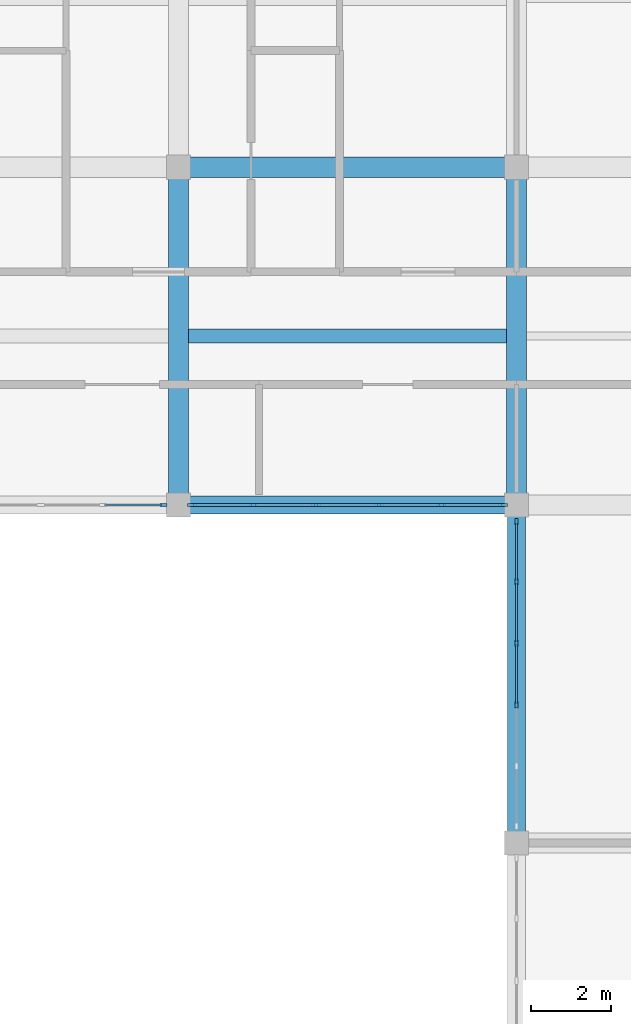
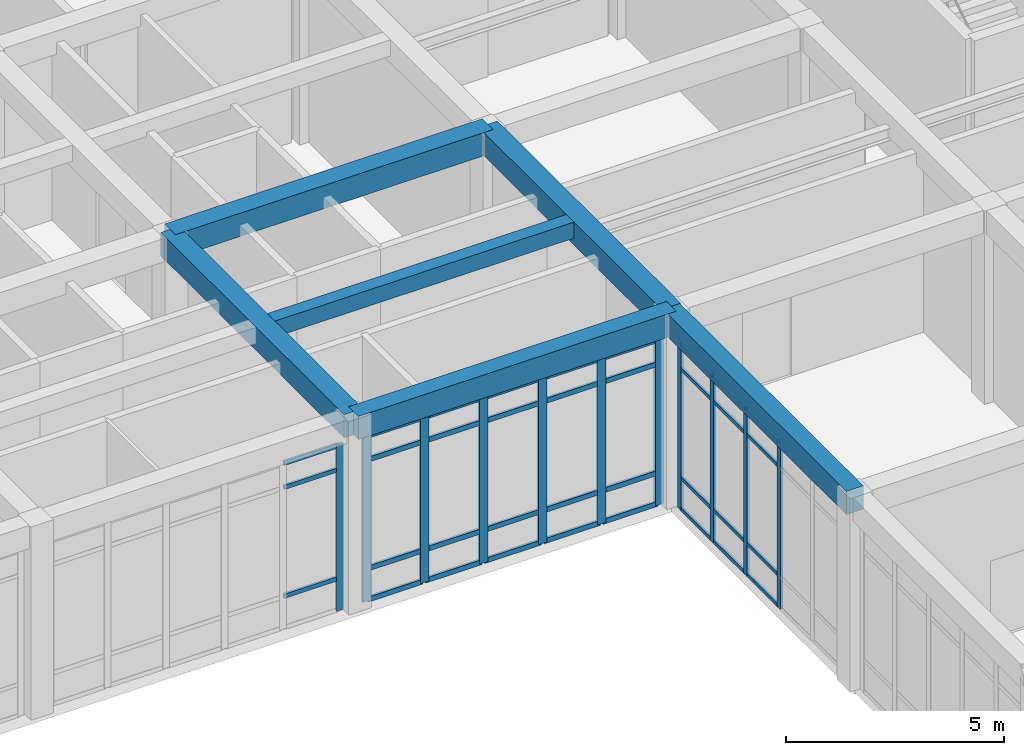
# One storey, part 21 of 89: 46 members, 6 beams, 3 elements without a shape of their own.
"""IFC4 building model written with IfcOpenShell, lengths in metres."""

from ifc_helpers import new_model, si_unit, direction, frame, origin, origin_2d, place, context, subcontext, project, spatial, rectangle, extrude, material, material_profile, profile_set, type_object, element, aggregate, save


model = new_model("IFC4")

# Units and contexts
model_context = context("Model", 3, precision=1e-05, world=origin(), true_north=direction((0.0, 1.0)))
body_context = subcontext(model_context, "Body", "Model", "MODEL_VIEW")
ifc_project = project(units=[si_unit("LENGTHUNIT", "METRE"), si_unit("AREAUNIT", "SQUARE_METRE"), si_unit("VOLUMEUNIT", "CUBIC_METRE"), si_unit("PLANEANGLEUNIT", "RADIAN"), si_unit("MASSUNIT", "GRAM", prefix="KILO")], contexts=[model_context])

# Site, building, storey
site_placement = place(None, origin())
site = spatial("IfcSite", under=ifc_project, at=site_placement, CompositionType="ELEMENT")
building_placement = place(site_placement, origin())
building = spatial("IfcBuilding", under=site, at=building_placement, Name="Varncliffe General Hospital", CompositionType="ELEMENT")
storey_placement = place(building_placement, frame((0.0, 0.0, 10.800048828125)))
storey = spatial("IfcBuildingStorey", under=building, at=storey_placement, Name="L02", CompositionType="ELEMENT", Elevation=10.800048828125)

# Beams
ifc_material_1 = material(Name="Concrete C35/45 (CSA A23.1 35 MPa)", Category="concrete")
ifc_material_profile_1 = material_profile(ifc_material_1, rectangle(XDim=0.5, YDim=0.64990234375, at=origin_2d()), Name="RC 500x650")
ifc_profile_set_1 = profile_set([ifc_material_profile_1], Name="Concrete C35/45 (CSA A23.1 35 MPa)")
beam_type_1 = type_object("IfcBeamType", Name="Beam B29 (Int RC 500x650)", PredefinedType="BEAM", material=ifc_profile_set_1)
beam_1_placement = place(storey_placement, frame((50.39990234375, 91.199951171875, 5.074951171875), z_axis=(1.0, 0.0, 0.0), x_axis=(0.0, 1.0, 0.0)))
element("IfcBeam", 1, at=beam_1_placement, inside=storey, type_object=beam_type_1, Name="L02 Primary Beam B29-119", PredefinedType="BEAM", context=body_context, shape_type="SweptSolid", body=[
    extrude(rectangle(XDim=0.5, YDim=0.64990234375, at=origin_2d()), origin(), (0.0, 0.0, 1.0), 8.400146484375),
])
for number, where, z_axis, x_axis, name in (
    (2, (50.39990234375, 82.800048828125, 5.074951171875), (0.0, 1.0, 0.0), (-1.0, 0.0, 0.0), "L02 Primary Beam B29-301"),
    (3, (58.800048828125, 82.800048828125, 5.074951171875), (0.0, 1.0, 0.0), (-1.0, 0.0, 0.0), "L02 Primary Beam B29-319"),
):
    element("IfcBeam", number, at=place(storey_placement, frame(where, z_axis=z_axis, x_axis=x_axis)), inside=storey, type_object=beam_type_1, Name=name, PredefinedType="BEAM", context=body_context, shape_type="SweptSolid", body=[
        extrude(rectangle(XDim=0.5, YDim=0.64990234375, at=origin_2d()), origin(), (0.0, 0.0, 1.0), 8.39990234375),
    ])

# Curtain wall, member
ifc_material_2 = material(Name="Triple low-E argon insulated vision glazing", Category="glass")
curtain_wall_type_1 = type_object("IfcCurtainWallType", Name="Unitised Glazed Curtain Wall CW70 (7724x4640)", PredefinedType="USERDEFINED", material=ifc_material_2)
curtain_wall_1_placement = place(storey_placement, origin())
curtain_wall_1 = element("IfcCurtainWall", 4, at=curtain_wall_1_placement, inside=storey, type_object=curtain_wall_type_1, Name="L02 Glazed Curtain Wall CW70-145", ObjectType="GLAZED CURTAIN WALL", PredefinedType="USERDEFINED")
ifc_material_3 = material(Name="Dark bronze thermally broken aluminium framing", Category="aluminium")
ifc_material_profile_2 = material_profile(ifc_material_3, rectangle(XDim=0.074951171875, YDim=0.179931640625, at=origin_2d()), Name="ALU 75x180")
ifc_profile_set_2 = profile_set([ifc_material_profile_2], Name="Dark bronze thermally broken aluminium framing")
member_type_1 = type_object("IfcMemberType", Name="Curtain Wall Mullion CM44 (ALU 75x180)", PredefinedType="MULLION", material=ifc_profile_set_2)
member_1_placement = place(storey_placement, frame((50.0244140625, 82.800048828125, 0.0), z_axis=(0.0, 0.0, 1.0), x_axis=(0.0, -1.0, 0.0)))
member_1 = element("IfcMember", 5, at=member_1_placement, type_object=member_type_1, Name="CW70 mullion 1", PredefinedType="MULLION", context=body_context, shape_type="SweptSolid", body=[
    extrude(rectangle(XDim=0.074951171875, YDim=0.179931640625, at=origin_2d()), origin(), (0.0, 0.0, 1.0), 4.639892578125),
])

# Curtain wall, members
curtain_wall_type_2 = type_object("IfcCurtainWallType", Name="Unitised Glazed Curtain Wall CW27 (7644x4640)", PredefinedType="USERDEFINED", material=ifc_material_2)
curtain_wall_2_placement = place(storey_placement, origin())
curtain_wall_2 = element("IfcCurtainWall", 6, at=curtain_wall_2_placement, inside=storey, type_object=curtain_wall_type_2, Name="L02 Glazed Curtain Wall CW27-143", ObjectType="GLAZED CURTAIN WALL", PredefinedType="USERDEFINED")
ifc_material_profile_3 = material_profile(ifc_material_3, rectangle(XDim=0.06494140625, YDim=0.159912109375, at=origin_2d()), Name="ALU 65x160")
ifc_profile_set_3 = profile_set([ifc_material_profile_3], Name="Dark bronze thermally broken aluminium framing")
member_type_2 = type_object("IfcMemberType", Name="Curtain Wall Mullion CM65 (ALU 65x160)", PredefinedType="MULLION", material=ifc_profile_set_3)
member_2_placement = place(storey_placement, frame((58.800048828125, 77.835693359375, 0.0), z_axis=(0.0, 0.0, 1.0), x_axis=(-1.0, 0.0, 0.0)))
member_2 = element("IfcMember", 7, at=member_2_placement, type_object=member_type_2, Name="CW27 mullion 3", PredefinedType="MULLION", context=body_context, shape_type="SweptSolid", body=[
    extrude(rectangle(XDim=0.06494140625, YDim=0.159912109375, at=origin_2d()), origin(), (0.0, 0.0, 1.0), 4.639892578125),
])
member_3_placement = place(storey_placement, frame((58.800048828125, 79.364501953125, 0.0), z_axis=(0.0, 0.0, 1.0), x_axis=(-1.0, 0.0, 0.0)))
member_3 = element("IfcMember", 8, at=member_3_placement, type_object=member_type_2, Name="CW27 mullion 4", PredefinedType="MULLION", context=body_context, shape_type="SweptSolid", body=[
    extrude(rectangle(XDim=0.06494140625, YDim=0.159912109375, at=origin_2d()), origin(), (0.0, 0.0, 1.0), 4.639892578125),
])
member_4_placement = place(storey_placement, frame((58.800048828125, 80.893310546875, 0.0), z_axis=(0.0, 0.0, 1.0), x_axis=(-1.0, 0.0, 0.0)))
member_4 = element("IfcMember", 9, at=member_4_placement, type_object=member_type_2, Name="CW27 mullion 5", PredefinedType="MULLION", context=body_context, shape_type="SweptSolid", body=[
    extrude(rectangle(XDim=0.06494140625, YDim=0.159912109375, at=origin_2d()), origin(), (0.0, 0.0, 1.0), 4.639892578125),
])
member_5_placement = place(storey_placement, frame((58.800048828125, 82.389404296875, 0.0), z_axis=(0.0, 0.0, 1.0), x_axis=(-1.0, 0.0, 0.0)))
member_5 = element("IfcMember", 10, at=member_5_placement, type_object=member_type_2, Name="CW27 mullion 6", PredefinedType="MULLION", context=body_context, shape_type="SweptSolid", body=[
    extrude(rectangle(XDim=0.06494140625, YDim=0.159912109375, at=origin_2d()), origin(), (0.0, 0.0, 1.0), 4.639892578125),
])

curtain_wall_type_3 = type_object("IfcCurtainWallType", Name="Unitised Glazed Curtain Wall CW85 (7804x4640)", PredefinedType="USERDEFINED", material=ifc_material_2)
curtain_wall_3_placement = place(storey_placement, origin())
curtain_wall_3 = element("IfcCurtainWall", 11, at=curtain_wall_3_placement, inside=storey, type_object=curtain_wall_type_3, Name="L02 Glazed Curtain Wall CW85-144", ObjectType="GLAZED CURTAIN WALL", PredefinedType="USERDEFINED")
ifc_material_profile_4 = material_profile(ifc_material_3, rectangle(XDim=0.074951171875, YDim=0.219970703125, at=origin_2d()), Name="ALU 75x220")
ifc_profile_set_4 = profile_set([ifc_material_profile_4], Name="Dark bronze thermally broken aluminium framing")
member_type_3 = type_object("IfcMemberType", Name="Curtain Wall Mullion CM74 (ALU 75x220)", PredefinedType="MULLION", material=ifc_profile_set_4)
member_6_placement = place(storey_placement, frame((58.464599609375, 82.800048828125, 0.0), z_axis=(0.0, 0.0, 1.0), x_axis=(0.0, -1.0, 0.0)))
member_6 = element("IfcMember", 12, at=member_6_placement, type_object=member_type_3, Name="CW85 mullion 1", PredefinedType="MULLION", context=body_context, shape_type="SweptSolid", body=[
    extrude(rectangle(XDim=0.074951171875, YDim=0.219970703125, at=origin_2d()), origin(), (0.0, 0.0, 1.0), 4.639892578125),
])
member_7_placement = place(storey_placement, frame((56.941162109375, 82.800048828125, 0.0), z_axis=(0.0, 0.0, 1.0), x_axis=(0.0, -1.0, 0.0)))
member_7 = element("IfcMember", 13, at=member_7_placement, type_object=member_type_3, Name="CW85 mullion 2", PredefinedType="MULLION", context=body_context, shape_type="SweptSolid", body=[
    extrude(rectangle(XDim=0.074951171875, YDim=0.219970703125, at=origin_2d()), origin(), (0.0, 0.0, 1.0), 4.639892578125),
])
member_8_placement = place(storey_placement, frame((55.38037109375, 82.800048828125, 0.0), z_axis=(0.0, 0.0, 1.0), x_axis=(0.0, -1.0, 0.0)))
member_8 = element("IfcMember", 14, at=member_8_placement, type_object=member_type_3, Name="CW85 mullion 3", PredefinedType="MULLION", context=body_context, shape_type="SweptSolid", body=[
    extrude(rectangle(XDim=0.074951171875, YDim=0.219970703125, at=origin_2d()), origin(), (0.0, 0.0, 1.0), 4.639892578125),
])
member_9_placement = place(storey_placement, frame((53.819580078125, 82.800048828125, 0.0), z_axis=(0.0, 0.0, 1.0), x_axis=(0.0, -1.0, 0.0)))
member_9 = element("IfcMember", 15, at=member_9_placement, type_object=member_type_3, Name="CW85 mullion 4", PredefinedType="MULLION", context=body_context, shape_type="SweptSolid", body=[
    extrude(rectangle(XDim=0.074951171875, YDim=0.219970703125, at=origin_2d()), origin(), (0.0, 0.0, 1.0), 4.639892578125),
])
member_10_placement = place(storey_placement, frame((52.2587890625, 82.800048828125, 0.0), z_axis=(0.0, 0.0, 1.0), x_axis=(0.0, -1.0, 0.0)))
member_10 = element("IfcMember", 16, at=member_10_placement, type_object=member_type_3, Name="CW85 mullion 5", PredefinedType="MULLION", context=body_context, shape_type="SweptSolid", body=[
    extrude(rectangle(XDim=0.074951171875, YDim=0.219970703125, at=origin_2d()), origin(), (0.0, 0.0, 1.0), 4.639892578125),
])
member_11_placement = place(storey_placement, frame((50.735595703125, 82.800048828125, 0.0), z_axis=(0.0, 0.0, 1.0), x_axis=(0.0, -1.0, 0.0)))
member_11 = element("IfcMember", 17, at=member_11_placement, type_object=member_type_3, Name="CW85 mullion 6", PredefinedType="MULLION", context=body_context, shape_type="SweptSolid", body=[
    extrude(rectangle(XDim=0.074951171875, YDim=0.219970703125, at=origin_2d()), origin(), (0.0, 0.0, 1.0), 4.639892578125),
])

# Member
ifc_material_profile_5 = material_profile(ifc_material_3, rectangle(XDim=0.06005859375, YDim=0.1201171875, at=origin_2d()), Name="ALU 60x120")
ifc_profile_set_5 = profile_set([ifc_material_profile_5], Name="Dark bronze thermally broken aluminium framing")
member_type_4 = type_object("IfcMemberType", Name="Curtain Wall Transom CT14 (ALU 60x120)", PredefinedType="USERDEFINED", material=ifc_profile_set_5)
member_12_placement = place(storey_placement, frame((49.987060546875, 82.800048828125, 0.89990234375), z_axis=(-1.0, 0.0, 0.0), x_axis=(0.0, -1.0, 0.0)))
member_12 = element("IfcMember", 18, at=member_12_placement, type_object=member_type_4, Name="CW70 transom 1.2", ObjectType="TRANSOM", PredefinedType="USERDEFINED", context=body_context, shape_type="SweptSolid", body=[
    extrude(rectangle(XDim=0.06005859375, YDim=0.1201171875, at=origin_2d()), origin(), (0.0, 0.0, 1.0), 1.432373046875),
])

member_13_placement = place(storey_placement, frame((49.987060546875, 82.800048828125, 3.93994140625), z_axis=(-1.0, 0.0, 0.0), x_axis=(0.0, -1.0, 0.0)))
member_13 = element("IfcMember", 19, at=member_13_placement, type_object=member_type_4, Name="CW70 transom 1.3", ObjectType="TRANSOM", PredefinedType="USERDEFINED", context=body_context, shape_type="SweptSolid", body=[
    extrude(rectangle(XDim=0.06005859375, YDim=0.1201171875, at=origin_2d()), origin(), (0.0, 0.0, 1.0), 1.432373046875),
])

member_14_placement = place(storey_placement, frame((49.987060546875, 82.800048828125, 4.60986328125), z_axis=(-1.0, 0.0, 0.0), x_axis=(0.0, -1.0, 0.0)))
member_14 = element("IfcMember", 20, at=member_14_placement, type_object=member_type_4, Name="CW70 transom 1.4", ObjectType="TRANSOM", PredefinedType="USERDEFINED", context=body_context, shape_type="SweptSolid", body=[
    extrude(rectangle(XDim=0.06005859375, YDim=0.1201171875, at=origin_2d()), origin(), (0.0, 0.0, 1.0), 1.432373046875),
])

aggregate(curtain_wall_1, [member_1, member_12, member_13, member_14])

ifc_material_profile_6 = material_profile(ifc_material_3, rectangle(XDim=0.06005859375, YDim=0.10009765625, at=origin_2d()), Name="ALU 60x100")
ifc_profile_set_6 = profile_set([ifc_material_profile_6], Name="Dark bronze thermally broken aluminium framing")
member_type_5 = type_object("IfcMemberType", Name="Curtain Wall Transom CT18 (ALU 60x100)", PredefinedType="USERDEFINED", material=ifc_profile_set_6)
member_15_placement = place(storey_placement, frame((58.800048828125, 77.8681640625, 0.030029296875), z_axis=(0.0, 1.0, 0.0), x_axis=(-1.0, 0.0, 0.0)))
member_15 = element("IfcMember", 21, at=member_15_placement, type_object=member_type_5, Name="CW27 transom 3.1", ObjectType="TRANSOM", PredefinedType="USERDEFINED", context=body_context, shape_type="SweptSolid", body=[
    extrude(rectangle(XDim=0.06005859375, YDim=0.10009765625, at=origin_2d()), origin(), (0.0, 0.0, 1.0), 1.463623046875),
])

member_16_placement = place(storey_placement, frame((58.800048828125, 77.8681640625, 0.89990234375), z_axis=(0.0, 1.0, 0.0), x_axis=(-1.0, 0.0, 0.0)))
member_16 = element("IfcMember", 22, at=member_16_placement, type_object=member_type_5, Name="CW27 transom 3.2", ObjectType="TRANSOM", PredefinedType="USERDEFINED", context=body_context, shape_type="SweptSolid", body=[
    extrude(rectangle(XDim=0.06005859375, YDim=0.10009765625, at=origin_2d()), origin(), (0.0, 0.0, 1.0), 1.463623046875),
])

member_17_placement = place(storey_placement, frame((58.800048828125, 77.8681640625, 3.93994140625), z_axis=(0.0, 1.0, 0.0), x_axis=(-1.0, 0.0, 0.0)))
member_17 = element("IfcMember", 23, at=member_17_placement, type_object=member_type_5, Name="CW27 transom 3.3", ObjectType="TRANSOM", PredefinedType="USERDEFINED", context=body_context, shape_type="SweptSolid", body=[
    extrude(rectangle(XDim=0.06005859375, YDim=0.10009765625, at=origin_2d()), origin(), (0.0, 0.0, 1.0), 1.463623046875),
])

member_18_placement = place(storey_placement, frame((58.800048828125, 77.8681640625, 4.60986328125), z_axis=(0.0, 1.0, 0.0), x_axis=(-1.0, 0.0, 0.0)))
member_18 = element("IfcMember", 24, at=member_18_placement, type_object=member_type_5, Name="CW27 transom 3.4", ObjectType="TRANSOM", PredefinedType="USERDEFINED", context=body_context, shape_type="SweptSolid", body=[
    extrude(rectangle(XDim=0.06005859375, YDim=0.10009765625, at=origin_2d()), origin(), (0.0, 0.0, 1.0), 1.463623046875),
])

member_19_placement = place(storey_placement, frame((58.800048828125, 79.39697265625, 0.030029296875), z_axis=(0.0, 1.0, 0.0), x_axis=(-1.0, 0.0, 0.0)))
member_19 = element("IfcMember", 25, at=member_19_placement, type_object=member_type_5, Name="CW27 transom 4.1", ObjectType="TRANSOM", PredefinedType="USERDEFINED", context=body_context, shape_type="SweptSolid", body=[
    extrude(rectangle(XDim=0.06005859375, YDim=0.10009765625, at=origin_2d()), origin(), (0.0, 0.0, 1.0), 1.463623046875),
])

member_20_placement = place(storey_placement, frame((58.800048828125, 79.39697265625, 0.89990234375), z_axis=(0.0, 1.0, 0.0), x_axis=(-1.0, 0.0, 0.0)))
member_20 = element("IfcMember", 26, at=member_20_placement, type_object=member_type_5, Name="CW27 transom 4.2", ObjectType="TRANSOM", PredefinedType="USERDEFINED", context=body_context, shape_type="SweptSolid", body=[
    extrude(rectangle(XDim=0.06005859375, YDim=0.10009765625, at=origin_2d()), origin(), (0.0, 0.0, 1.0), 1.463623046875),
])

member_21_placement = place(storey_placement, frame((58.800048828125, 79.39697265625, 3.93994140625), z_axis=(0.0, 1.0, 0.0), x_axis=(-1.0, 0.0, 0.0)))
member_21 = element("IfcMember", 27, at=member_21_placement, type_object=member_type_5, Name="CW27 transom 4.3", ObjectType="TRANSOM", PredefinedType="USERDEFINED", context=body_context, shape_type="SweptSolid", body=[
    extrude(rectangle(XDim=0.06005859375, YDim=0.10009765625, at=origin_2d()), origin(), (0.0, 0.0, 1.0), 1.463623046875),
])

member_22_placement = place(storey_placement, frame((58.800048828125, 79.39697265625, 4.60986328125), z_axis=(0.0, 1.0, 0.0), x_axis=(-1.0, 0.0, 0.0)))
member_22 = element("IfcMember", 28, at=member_22_placement, type_object=member_type_5, Name="CW27 transom 4.4", ObjectType="TRANSOM", PredefinedType="USERDEFINED", context=body_context, shape_type="SweptSolid", body=[
    extrude(rectangle(XDim=0.06005859375, YDim=0.10009765625, at=origin_2d()), origin(), (0.0, 0.0, 1.0), 1.463623046875),
])

member_23_placement = place(storey_placement, frame((58.800048828125, 80.92578125, 0.030029296875), z_axis=(0.0, 1.0, 0.0), x_axis=(-1.0, 0.0, 0.0)))
member_23 = element("IfcMember", 29, at=member_23_placement, type_object=member_type_5, Name="CW27 transom 5.1", ObjectType="TRANSOM", PredefinedType="USERDEFINED", context=body_context, shape_type="SweptSolid", body=[
    extrude(rectangle(XDim=0.06005859375, YDim=0.10009765625, at=origin_2d()), origin(), (0.0, 0.0, 1.0), 1.43115234375),
])

member_24_placement = place(storey_placement, frame((58.800048828125, 80.92578125, 0.89990234375), z_axis=(0.0, 1.0, 0.0), x_axis=(-1.0, 0.0, 0.0)))
member_24 = element("IfcMember", 30, at=member_24_placement, type_object=member_type_5, Name="CW27 transom 5.2", ObjectType="TRANSOM", PredefinedType="USERDEFINED", context=body_context, shape_type="SweptSolid", body=[
    extrude(rectangle(XDim=0.06005859375, YDim=0.10009765625, at=origin_2d()), origin(), (0.0, 0.0, 1.0), 1.43115234375),
])

member_25_placement = place(storey_placement, frame((58.800048828125, 80.92578125, 3.93994140625), z_axis=(0.0, 1.0, 0.0), x_axis=(-1.0, 0.0, 0.0)))
member_25 = element("IfcMember", 31, at=member_25_placement, type_object=member_type_5, Name="CW27 transom 5.3", ObjectType="TRANSOM", PredefinedType="USERDEFINED", context=body_context, shape_type="SweptSolid", body=[
    extrude(rectangle(XDim=0.06005859375, YDim=0.10009765625, at=origin_2d()), origin(), (0.0, 0.0, 1.0), 1.43115234375),
])

member_26_placement = place(storey_placement, frame((58.800048828125, 80.92578125, 4.60986328125), z_axis=(0.0, 1.0, 0.0), x_axis=(-1.0, 0.0, 0.0)))
member_26 = element("IfcMember", 32, at=member_26_placement, type_object=member_type_5, Name="CW27 transom 5.4", ObjectType="TRANSOM", PredefinedType="USERDEFINED", context=body_context, shape_type="SweptSolid", body=[
    extrude(rectangle(XDim=0.06005859375, YDim=0.10009765625, at=origin_2d()), origin(), (0.0, 0.0, 1.0), 1.43115234375),
])

aggregate(curtain_wall_2, [member_2, member_3, member_4, member_5, member_15, member_16, member_17, member_18, member_19, member_20, member_21, member_22, member_23, member_24, member_25, member_26])

ifc_material_profile_7 = material_profile(ifc_material_3, rectangle(XDim=0.06494140625, YDim=0.139892578125, at=origin_2d()), Name="ALU 65x140")
ifc_profile_set_7 = profile_set([ifc_material_profile_7], Name="Dark bronze thermally broken aluminium framing")
member_type_6 = type_object("IfcMemberType", Name="Curtain Wall Transom CT69 (ALU 65x140)", PredefinedType="USERDEFINED", material=ifc_profile_set_7)
member_27_placement = place(storey_placement, frame((58.427001953125, 82.800048828125, 0.032470703125), z_axis=(-1.0, 0.0, 0.0), x_axis=(0.0, -1.0, 0.0)))
member_27 = element("IfcMember", 33, at=member_27_placement, type_object=member_type_6, Name="CW85 transom 1.1", ObjectType="TRANSOM", PredefinedType="USERDEFINED", context=body_context, shape_type="SweptSolid", body=[
    extrude(rectangle(XDim=0.06494140625, YDim=0.139892578125, at=origin_2d()), origin(), (0.0, 0.0, 1.0), 1.4482421875),
])

member_28_placement = place(storey_placement, frame((58.427001953125, 82.800048828125, 0.89990234375), z_axis=(-1.0, 0.0, 0.0), x_axis=(0.0, -1.0, 0.0)))
member_28 = element("IfcMember", 34, at=member_28_placement, type_object=member_type_6, Name="CW85 transom 1.2", ObjectType="TRANSOM", PredefinedType="USERDEFINED", context=body_context, shape_type="SweptSolid", body=[
    extrude(rectangle(XDim=0.06494140625, YDim=0.139892578125, at=origin_2d()), origin(), (0.0, 0.0, 1.0), 1.4482421875),
])

member_29_placement = place(storey_placement, frame((58.427001953125, 82.800048828125, 3.93994140625), z_axis=(-1.0, 0.0, 0.0), x_axis=(0.0, -1.0, 0.0)))
member_29 = element("IfcMember", 35, at=member_29_placement, type_object=member_type_6, Name="CW85 transom 1.3", ObjectType="TRANSOM", PredefinedType="USERDEFINED", context=body_context, shape_type="SweptSolid", body=[
    extrude(rectangle(XDim=0.06494140625, YDim=0.139892578125, at=origin_2d()), origin(), (0.0, 0.0, 1.0), 1.4482421875),
])

member_30_placement = place(storey_placement, frame((58.427001953125, 82.800048828125, 4.607421875), z_axis=(-1.0, 0.0, 0.0), x_axis=(0.0, -1.0, 0.0)))
member_30 = element("IfcMember", 36, at=member_30_placement, type_object=member_type_6, Name="CW85 transom 1.4", ObjectType="TRANSOM", PredefinedType="USERDEFINED", context=body_context, shape_type="SweptSolid", body=[
    extrude(rectangle(XDim=0.06494140625, YDim=0.139892578125, at=origin_2d()), origin(), (0.0, 0.0, 1.0), 1.4482421875),
])

member_31_placement = place(storey_placement, frame((56.90380859375, 82.800048828125, 0.032470703125), z_axis=(-1.0, 0.0, 0.0), x_axis=(0.0, -1.0, 0.0)))
member_31 = element("IfcMember", 37, at=member_31_placement, type_object=member_type_6, Name="CW85 transom 2.1", ObjectType="TRANSOM", PredefinedType="USERDEFINED", context=body_context, shape_type="SweptSolid", body=[
    extrude(rectangle(XDim=0.06494140625, YDim=0.139892578125, at=origin_2d()), origin(), (0.0, 0.0, 1.0), 1.48583984375),
])

member_32_placement = place(storey_placement, frame((56.90380859375, 82.800048828125, 0.89990234375), z_axis=(-1.0, 0.0, 0.0), x_axis=(0.0, -1.0, 0.0)))
member_32 = element("IfcMember", 38, at=member_32_placement, type_object=member_type_6, Name="CW85 transom 2.2", ObjectType="TRANSOM", PredefinedType="USERDEFINED", context=body_context, shape_type="SweptSolid", body=[
    extrude(rectangle(XDim=0.06494140625, YDim=0.139892578125, at=origin_2d()), origin(), (0.0, 0.0, 1.0), 1.48583984375),
])

member_33_placement = place(storey_placement, frame((56.90380859375, 82.800048828125, 3.93994140625), z_axis=(-1.0, 0.0, 0.0), x_axis=(0.0, -1.0, 0.0)))
member_33 = element("IfcMember", 39, at=member_33_placement, type_object=member_type_6, Name="CW85 transom 2.3", ObjectType="TRANSOM", PredefinedType="USERDEFINED", context=body_context, shape_type="SweptSolid", body=[
    extrude(rectangle(XDim=0.06494140625, YDim=0.139892578125, at=origin_2d()), origin(), (0.0, 0.0, 1.0), 1.48583984375),
])

member_34_placement = place(storey_placement, frame((56.90380859375, 82.800048828125, 4.607421875), z_axis=(-1.0, 0.0, 0.0), x_axis=(0.0, -1.0, 0.0)))
member_34 = element("IfcMember", 40, at=member_34_placement, type_object=member_type_6, Name="CW85 transom 2.4", ObjectType="TRANSOM", PredefinedType="USERDEFINED", context=body_context, shape_type="SweptSolid", body=[
    extrude(rectangle(XDim=0.06494140625, YDim=0.139892578125, at=origin_2d()), origin(), (0.0, 0.0, 1.0), 1.48583984375),
])

member_35_placement = place(storey_placement, frame((55.343017578125, 82.800048828125, 0.032470703125), z_axis=(-1.0, 0.0, 0.0), x_axis=(0.0, -1.0, 0.0)))
member_35 = element("IfcMember", 41, at=member_35_placement, type_object=member_type_6, Name="CW85 transom 3.1", ObjectType="TRANSOM", PredefinedType="USERDEFINED", context=body_context, shape_type="SweptSolid", body=[
    extrude(rectangle(XDim=0.06494140625, YDim=0.139892578125, at=origin_2d()), origin(), (0.0, 0.0, 1.0), 1.48583984375),
])

member_36_placement = place(storey_placement, frame((55.343017578125, 82.800048828125, 0.89990234375), z_axis=(-1.0, 0.0, 0.0), x_axis=(0.0, -1.0, 0.0)))
member_36 = element("IfcMember", 42, at=member_36_placement, type_object=member_type_6, Name="CW85 transom 3.2", ObjectType="TRANSOM", PredefinedType="USERDEFINED", context=body_context, shape_type="SweptSolid", body=[
    extrude(rectangle(XDim=0.06494140625, YDim=0.139892578125, at=origin_2d()), origin(), (0.0, 0.0, 1.0), 1.48583984375),
])

member_37_placement = place(storey_placement, frame((55.343017578125, 82.800048828125, 3.93994140625), z_axis=(-1.0, 0.0, 0.0), x_axis=(0.0, -1.0, 0.0)))
member_37 = element("IfcMember", 43, at=member_37_placement, type_object=member_type_6, Name="CW85 transom 3.3", ObjectType="TRANSOM", PredefinedType="USERDEFINED", context=body_context, shape_type="SweptSolid", body=[
    extrude(rectangle(XDim=0.06494140625, YDim=0.139892578125, at=origin_2d()), origin(), (0.0, 0.0, 1.0), 1.48583984375),
])

member_38_placement = place(storey_placement, frame((55.343017578125, 82.800048828125, 4.607421875), z_axis=(-1.0, 0.0, 0.0), x_axis=(0.0, -1.0, 0.0)))
member_38 = element("IfcMember", 44, at=member_38_placement, type_object=member_type_6, Name="CW85 transom 3.4", ObjectType="TRANSOM", PredefinedType="USERDEFINED", context=body_context, shape_type="SweptSolid", body=[
    extrude(rectangle(XDim=0.06494140625, YDim=0.139892578125, at=origin_2d()), origin(), (0.0, 0.0, 1.0), 1.48583984375),
])

member_39_placement = place(storey_placement, frame((53.781982421875, 82.800048828125, 0.032470703125), z_axis=(-1.0, 0.0, 0.0), x_axis=(0.0, -1.0, 0.0)))
member_39 = element("IfcMember", 45, at=member_39_placement, type_object=member_type_6, Name="CW85 transom 4.1", ObjectType="TRANSOM", PredefinedType="USERDEFINED", context=body_context, shape_type="SweptSolid", body=[
    extrude(rectangle(XDim=0.06494140625, YDim=0.139892578125, at=origin_2d()), origin(), (0.0, 0.0, 1.0), 1.485595703125),
])

member_40_placement = place(storey_placement, frame((53.781982421875, 82.800048828125, 0.89990234375), z_axis=(-1.0, 0.0, 0.0), x_axis=(0.0, -1.0, 0.0)))
member_40 = element("IfcMember", 46, at=member_40_placement, type_object=member_type_6, Name="CW85 transom 4.2", ObjectType="TRANSOM", PredefinedType="USERDEFINED", context=body_context, shape_type="SweptSolid", body=[
    extrude(rectangle(XDim=0.06494140625, YDim=0.139892578125, at=origin_2d()), origin(), (0.0, 0.0, 1.0), 1.485595703125),
])

member_41_placement = place(storey_placement, frame((53.781982421875, 82.800048828125, 3.93994140625), z_axis=(-1.0, 0.0, 0.0), x_axis=(0.0, -1.0, 0.0)))
member_41 = element("IfcMember", 47, at=member_41_placement, type_object=member_type_6, Name="CW85 transom 4.3", ObjectType="TRANSOM", PredefinedType="USERDEFINED", context=body_context, shape_type="SweptSolid", body=[
    extrude(rectangle(XDim=0.06494140625, YDim=0.139892578125, at=origin_2d()), origin(), (0.0, 0.0, 1.0), 1.485595703125),
])

member_42_placement = place(storey_placement, frame((53.781982421875, 82.800048828125, 4.607421875), z_axis=(-1.0, 0.0, 0.0), x_axis=(0.0, -1.0, 0.0)))
member_42 = element("IfcMember", 48, at=member_42_placement, type_object=member_type_6, Name="CW85 transom 4.4", ObjectType="TRANSOM", PredefinedType="USERDEFINED", context=body_context, shape_type="SweptSolid", body=[
    extrude(rectangle(XDim=0.06494140625, YDim=0.139892578125, at=origin_2d()), origin(), (0.0, 0.0, 1.0), 1.485595703125),
])

member_43_placement = place(storey_placement, frame((52.22119140625, 82.800048828125, 0.032470703125), z_axis=(-1.0, 0.0, 0.0), x_axis=(0.0, -1.0, 0.0)))
member_43 = element("IfcMember", 49, at=member_43_placement, type_object=member_type_6, Name="CW85 transom 5.1", ObjectType="TRANSOM", PredefinedType="USERDEFINED", context=body_context, shape_type="SweptSolid", body=[
    extrude(rectangle(XDim=0.06494140625, YDim=0.139892578125, at=origin_2d()), origin(), (0.0, 0.0, 1.0), 1.4482421875),
])

member_44_placement = place(storey_placement, frame((52.22119140625, 82.800048828125, 0.89990234375), z_axis=(-1.0, 0.0, 0.0), x_axis=(0.0, -1.0, 0.0)))
member_44 = element("IfcMember", 50, at=member_44_placement, type_object=member_type_6, Name="CW85 transom 5.2", ObjectType="TRANSOM", PredefinedType="USERDEFINED", context=body_context, shape_type="SweptSolid", body=[
    extrude(rectangle(XDim=0.06494140625, YDim=0.139892578125, at=origin_2d()), origin(), (0.0, 0.0, 1.0), 1.4482421875),
])

member_45_placement = place(storey_placement, frame((52.22119140625, 82.800048828125, 3.93994140625), z_axis=(-1.0, 0.0, 0.0), x_axis=(0.0, -1.0, 0.0)))
member_45 = element("IfcMember", 51, at=member_45_placement, type_object=member_type_6, Name="CW85 transom 5.3", ObjectType="TRANSOM", PredefinedType="USERDEFINED", context=body_context, shape_type="SweptSolid", body=[
    extrude(rectangle(XDim=0.06494140625, YDim=0.139892578125, at=origin_2d()), origin(), (0.0, 0.0, 1.0), 1.4482421875),
])

member_46_placement = place(storey_placement, frame((52.22119140625, 82.800048828125, 4.607421875), z_axis=(-1.0, 0.0, 0.0), x_axis=(0.0, -1.0, 0.0)))
member_46 = element("IfcMember", 52, at=member_46_placement, type_object=member_type_6, Name="CW85 transom 5.4", ObjectType="TRANSOM", PredefinedType="USERDEFINED", context=body_context, shape_type="SweptSolid", body=[
    extrude(rectangle(XDim=0.06494140625, YDim=0.139892578125, at=origin_2d()), origin(), (0.0, 0.0, 1.0), 1.4482421875),
])

aggregate(curtain_wall_3, [member_6, member_7, member_8, member_9, member_10, member_11, member_27, member_28, member_29, member_30, member_31, member_32, member_33, member_34, member_35, member_36, member_37, member_38, member_39, member_40, member_41, member_42, member_43, member_44, member_45, member_46])

# Beams
ifc_material_profile_8 = material_profile(ifc_material_1, rectangle(XDim=0.35009765625, YDim=0.449951171875, at=origin_2d()), Name="RC 350x450")
ifc_profile_set_8 = profile_set([ifc_material_profile_8], Name="Concrete C35/45 (CSA A23.1 35 MPa)")
beam_type_2 = type_object("IfcBeamType", Name="Joist J55 (Int RC 350x450)", PredefinedType="JOIST", material=ifc_profile_set_8)
beam_2_placement = place(storey_placement, frame((50.64794921875, 87.0, 5.175048828125), z_axis=(1.0, 0.0, 0.0), x_axis=(0.0, 1.0, 0.0)))
element("IfcBeam", 53, at=beam_2_placement, inside=storey, type_object=beam_type_2, Name="L02 Secondary Floor Rib J55-14", PredefinedType="JOIST", context=body_context, shape_type="SweptSolid", body=[
    extrude(rectangle(XDim=0.35009765625, YDim=0.449951171875, at=origin_2d()), origin(), (0.0, 0.0, 1.0), 7.904052734375),
])
ifc_material_profile_9 = material_profile(ifc_material_1, rectangle(XDim=0.449951171875, YDim=0.64990234375, at=origin_2d()), Name="RC 450x650")
ifc_profile_set_9 = profile_set([ifc_material_profile_9], Name="Concrete C35/45 (CSA A23.1 35 MPa)")
beam_type_3 = type_object("IfcBeamType", Name="Spandrel SP38 (Ext RC 450x650B)", PredefinedType="SPANDREL", material=ifc_profile_set_9)
for number, where, z_axis, x_axis, name in (
    (54, (50.39990234375, 82.800048828125, 5.074951171875), (1.0, 0.0, 0.0), (0.0, 1.0, 0.0), "L02 Spandrel Beam SP38-99"),
    (55, (58.800048828125, 74.39990234375, 5.074951171875), (0.0, 1.0, 0.0), (-1.0, 0.0, 0.0), "L02 Spandrel Beam SP38-318"),
):
    element("IfcBeam", number, at=place(storey_placement, frame(where, z_axis=z_axis, x_axis=x_axis)), inside=storey, type_object=beam_type_3, Name=name, PredefinedType="SPANDREL", context=body_context, shape_type="SweptSolid", body=[
        extrude(rectangle(XDim=0.449951171875, YDim=0.64990234375, at=origin_2d()), origin(), (0.0, 0.0, 1.0), 8.400146484375),
    ])

save(model, "model.ifc")
